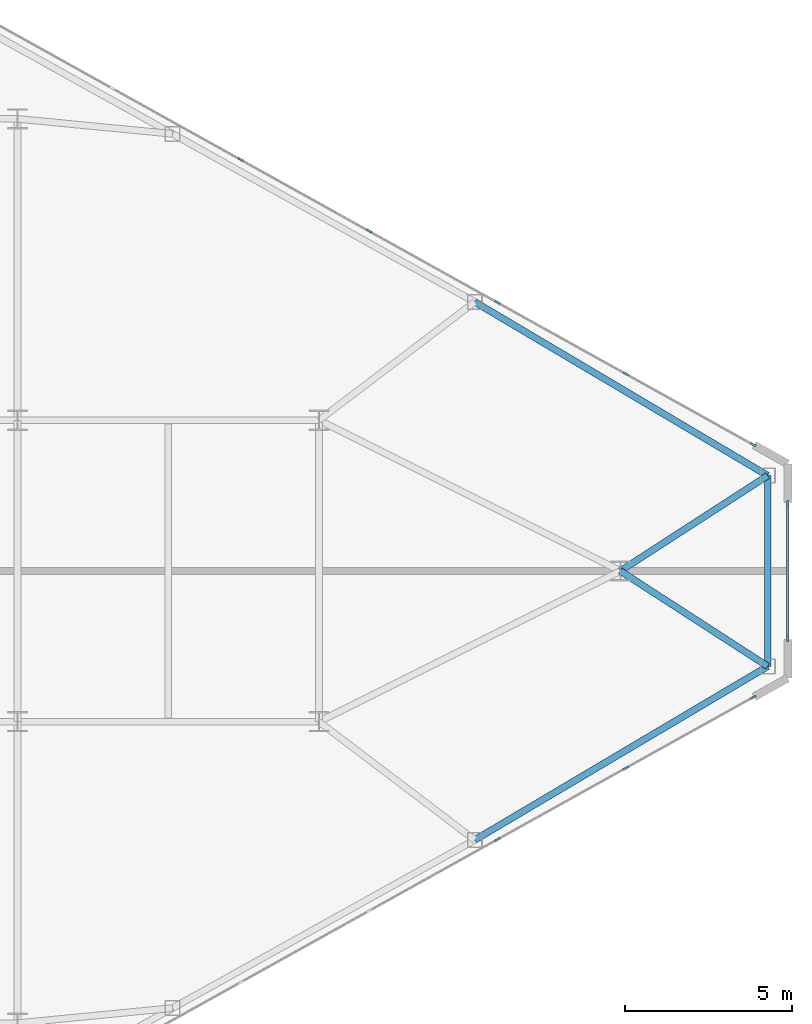
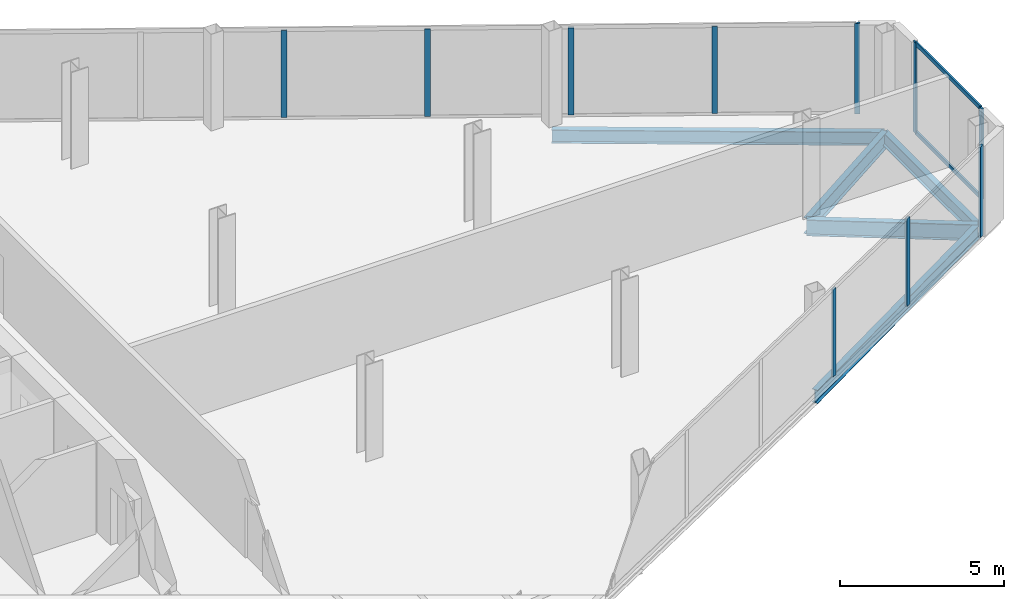
# One storey, part 17 of 26: 12 members, 5 beams, 3 elements without a shape of their own.
"""IFC4 building model written with IfcOpenShell, lengths in metres."""

from ifc_helpers import new_model, si_unit, direction, frame, origin, origin_2d, place, context, subcontext, project, spatial, rectangle, i_section, extrude, source, transform, mapped, material, layer, layer_set, material_profile, profile_set, type_object, type_shapes, element, aggregate, save


model = new_model("IFC4")

# Units and contexts
model_context = context("Model", 3, precision=1e-05, world=origin(), true_north=direction((0.0, 1.0)))
body_context = subcontext(model_context, "Body", "Model", "MODEL_VIEW")
ifc_project = project(units=[si_unit("LENGTHUNIT", "METRE"), si_unit("AREAUNIT", "SQUARE_METRE"), si_unit("VOLUMEUNIT", "CUBIC_METRE"), si_unit("PLANEANGLEUNIT", "RADIAN"), si_unit("MASSUNIT", "GRAM", prefix="KILO")], contexts=[model_context])

# Site, building, storey
site_placement = place(None, origin())
site = spatial("IfcSite", under=ifc_project, at=site_placement, CompositionType="ELEMENT")
building_placement = place(site_placement, origin())
building = spatial("IfcBuilding", under=site, at=building_placement, Name="Seokmaru Belvedere", CompositionType="ELEMENT")
storey_placement = place(building_placement, frame((0.0, 0.0, 181.5)))
storey = spatial("IfcBuildingStorey", under=building, at=storey_placement, Name="L48", CompositionType="ELEMENT", Elevation=181.5)

# Beams
ifc_material_1 = material(Name="Steel SM355 (355 MPa)", Category="steel")
ifc_material_profile_1 = material_profile(ifc_material_1, i_section(OverallWidth=0.199951171875, OverallDepth=0.5, WebThickness=0.010009765625, FlangeThickness=0.01611328125, at=origin_2d()), Name="H-500x200x10x16")
ifc_profile_set_1 = profile_set([ifc_material_profile_1], Name="Steel SM355 (355 MPa)")
beam_type_1 = type_object("IfcBeamType", Name="Perimeter Spandrel Beam H-500", PredefinedType="SPANDREL", material=ifc_profile_set_1)
shared_shape_1 = source(origin(), body_context, "Body", "SweptSolid", [
    extrude(i_section(OverallWidth=0.199951171875, OverallDepth=0.5, WebThickness=0.010009765625, FlangeThickness=0.01611328125, at=origin_2d()), origin(), (0.0, 0.0, 1.0), 10.16650390625),
])
for number, where, z_axis, x_axis, name in (
    (1, (59.154541015625, -8.031494140625, -0.469970703125), (0.860209996506, 0.509939959124, 0.0), (-0.509939959124, 0.860209996506, 0.0), "L48 E Faceted Flank Spandrel S-4"),
    (2, (59.154541015625, 8.031494140625, -0.469970703125), (0.860209996506, -0.509939959124, 0.0), (0.509939959124, 0.860209996506, 0.0), "L48 E Faceted Flank Spandrel N-4"),
):
    element("IfcBeam", number, at=place(storey_placement, frame(where, z_axis=z_axis, x_axis=x_axis)), inside=storey, type_object=beam_type_1, Name=name, PredefinedType="SPANDREL", context=body_context, shape_type="MappedRepresentation", body=[
        mapped(shared_shape_1, transform((0.0, 0.0, 0.0), scale=1.0)),
    ])
shared_shape_2 = source(origin(), body_context, "Body", "SweptSolid", [
    extrude(i_section(OverallWidth=0.199951171875, OverallDepth=0.5, WebThickness=0.010009765625, FlangeThickness=0.01611328125, at=origin_2d()), origin(), (0.0, 0.0, 1.0), 5.6943359375),
])
type_shapes(beam_type_1, [shared_shape_1, shared_shape_2])
beam_placement = place(storey_placement, frame((67.89990234375, -2.84716796875, -0.469970703125), z_axis=(0.0, 1.0, 0.0), x_axis=(-1.0, 0.0, 0.0)))
element("IfcBeam", 3, at=beam_placement, inside=storey, type_object=beam_type_1, Name="L48 E Faceted Apex Spandrel", PredefinedType="SPANDREL", context=body_context, shape_type="MappedRepresentation", body=[
    mapped(shared_shape_2, transform((0.0, 0.0, 0.0), scale=1.0)),
])
ifc_material_profile_2 = material_profile(ifc_material_1, i_section(OverallWidth=0.199951171875, OverallDepth=0.60009765625, WebThickness=0.010986328125, FlangeThickness=0.01708984375, at=origin_2d()), Name="H-600x200x11x17")
ifc_profile_set_2 = profile_set([ifc_material_profile_2], Name="Steel SM355 (355 MPa)")
beam_type_2 = type_object("IfcBeamType", Name="Primary Floor Girder H-600", PredefinedType="BEAM", material=ifc_profile_set_2)
shared_shape_3 = source(origin(), body_context, "Body", "SweptSolid", [
    extrude(i_section(OverallWidth=0.199951171875, OverallDepth=0.60009765625, WebThickness=0.010986328125, FlangeThickness=0.01708984375, at=origin_2d()), origin(), (0.0, 0.0, 1.0), 5.24072265625),
])
type_shapes(beam_type_2, [shared_shape_3])
for number, where, z_axis, x_axis, name in (
    (4, (67.89990234375, -2.84716796875, -0.52001953125), (-0.839555158729, 0.543274456836, 0.0), (-0.543274456836, -0.839555158729, 0.0), "L48 E Apex Radial Floor Girder 1"),
    (5, (67.89990234375, 2.84716796875, -0.52001953125), (-0.839555158729, -0.543274456836, 0.0), (0.543274456836, -0.839555158729, 0.0), "L48 E Apex Radial Floor Girder 2"),
):
    element("IfcBeam", number, at=place(storey_placement, frame(where, z_axis=z_axis, x_axis=x_axis)), inside=storey, type_object=beam_type_2, Name=name, PredefinedType="BEAM", context=body_context, shape_type="MappedRepresentation", body=[
        mapped(shared_shape_3, transform((0.0, 0.0, 0.0), scale=1.0)),
    ])

# Curtain wall, members
ifc_material_2 = material(Name="Bronze Triple Insulating Glass", Category="glass")
ifc_layer = layer(ifc_material_2, 0.179931640625)
ifc_layer_set = layer_set([ifc_layer], Name="Bronze Triple Insulating Glass")
curtain_wall_type = type_object("IfcCurtainWallType", Name="High-Rise Wind-Corner Curtain Wall System CW-5", PredefinedType="NOTDEFINED", material=ifc_layer_set)
curtain_wall_1_placement = place(storey_placement, origin())
curtain_wall_1 = element("IfcCurtainWall", 6, at=curtain_wall_1_placement, inside=storey, type_object=curtain_wall_type, Name="L48 Curtain Wall EF2", PredefinedType="NOTDEFINED")
ifc_material_3 = material(Name="Anodised Bronze Aluminium", Category="aluminium")
ifc_material_profile_3 = material_profile(ifc_material_3, rectangle(XDim=0.06494140625, YDim=0.14990234375, at=origin_2d()), Name="CW-T-65x150")
ifc_profile_set_3 = profile_set([ifc_material_profile_3], Name="Anodised Bronze Aluminium")
member_type_1 = type_object("IfcMemberType", Name="Bronze Unitised Transom 65x150", PredefinedType="USERDEFINED", material=ifc_profile_set_3)
shared_shape_4 = source(origin(), body_context, "Body", "SweptSolid", [
    extrude(rectangle(XDim=0.06494140625, YDim=0.14990234375, at=origin_2d()), origin(), (0.0, 0.0, 1.0), 3.97021484375),
])
type_shapes(member_type_1, [shared_shape_4])
member_1_placement = place(storey_placement, frame((68.5, -1.985107421875, 0.032470703125), z_axis=(0.0, 1.0, 0.0), x_axis=(-1.0, 0.0, 0.0)))
member_1 = element("IfcMember", 7, at=member_1_placement, type_object=member_type_1, Name="CW:L48:EF2 Continuous Transom 1", ObjectType="TRANSOM", PredefinedType="USERDEFINED", context=body_context, shape_type="MappedRepresentation", body=[
    mapped(shared_shape_4, transform((0.0, 0.0, 0.0), scale=1.0)),
])
member_2_placement = place(storey_placement, frame((68.5, -1.985107421875, 3.347412109375), z_axis=(0.0, 1.0, 0.0), x_axis=(-1.0, 0.0, 0.0)))
member_2 = element("IfcMember", 8, at=member_2_placement, type_object=member_type_1, Name="CW:L48:EF2 Continuous Transom 2", ObjectType="TRANSOM", PredefinedType="USERDEFINED", context=body_context, shape_type="MappedRepresentation", body=[
    mapped(shared_shape_4, transform((0.0, 0.0, 0.0), scale=1.0)),
])

# Curtain wall, member
curtain_wall_2_placement = place(storey_placement, origin())
curtain_wall_2 = element("IfcCurtainWall", 9, at=curtain_wall_2_placement, inside=storey, type_object=curtain_wall_type, Name="L48 Curtain Wall EF1", PredefinedType="NOTDEFINED")
ifc_material_profile_4 = material_profile(ifc_material_3, rectangle(XDim=0.06494140625, YDim=0.179931640625, at=origin_2d()), Name="CW-M-65x180")
ifc_profile_set_4 = profile_set([ifc_material_profile_4], Name="Anodised Bronze Aluminium")
member_type_2 = type_object("IfcMemberType", Name="Bronze Unitised Mullion 65x180", PredefinedType="MULLION", material=ifc_profile_set_4)
shared_shape_5 = source(origin(), body_context, "Body", "SweptSolid", [
    extrude(rectangle(XDim=0.06494140625, YDim=0.179931640625, at=origin_2d()), origin(), (0.0, 0.0, 1.0), 3.3798828125),
])
member_3_placement = place(storey_placement, frame((67.466552734375, -3.77490234375, 0.0), z_axis=(0.0, 0.0, 1.0), x_axis=(-0.486047125147, 0.873932601598, 0.0)))
member_3 = element("IfcMember", 10, at=member_3_placement, type_object=member_type_2, Name="CW:L48:EF1 Mullion 10", PredefinedType="MULLION", context=body_context, shape_type="MappedRepresentation", body=[
    mapped(shared_shape_5, transform((0.0, 0.0, 0.0), scale=1.0)),
])

# Member
member_4_placement = place(storey_placement, frame((68.5, -2.017578125, 0.0), z_axis=(0.0, 0.0, 1.0), x_axis=(-1.0, 0.0, 0.0)))
member_4 = element("IfcMember", 11, at=member_4_placement, type_object=member_type_2, Name="CW:L48:EF2 Mullion 1", PredefinedType="MULLION", context=body_context, shape_type="MappedRepresentation", body=[
    mapped(shared_shape_5, transform((0.0, 0.0, 0.0), scale=1.0)),
])

member_5_placement = place(storey_placement, frame((68.5, 2.017578125, 0.0), z_axis=(0.0, 0.0, 1.0), x_axis=(-1.0, 0.0, 0.0)))
member_5 = element("IfcMember", 12, at=member_5_placement, type_object=member_type_2, Name="CW:L48:EF2 Mullion 2", PredefinedType="MULLION", context=body_context, shape_type="MappedRepresentation", body=[
    mapped(shared_shape_5, transform((0.0, 0.0, 0.0), scale=1.0)),
])

aggregate(curtain_wall_1, [member_4, member_5, member_1, member_2])

# Curtain wall, member
curtain_wall_3_placement = place(storey_placement, origin())
curtain_wall_3 = element("IfcCurtainWall", 13, at=curtain_wall_3_placement, inside=storey, type_object=curtain_wall_type, Name="L48 Curtain Wall EF3", PredefinedType="NOTDEFINED")
member_6_placement = place(storey_placement, frame((67.466552734375, 3.77490234375, 0.0), z_axis=(0.0, 0.0, 1.0), x_axis=(-0.486047125147, -0.873932601598, 0.0)))
member_6 = element("IfcMember", 14, at=member_6_placement, type_object=member_type_2, Name="CW:L48:EF3 Mullion 1", PredefinedType="MULLION", context=body_context, shape_type="MappedRepresentation", body=[
    mapped(shared_shape_5, transform((0.0, 0.0, 0.0), scale=1.0)),
])

# Member
shared_shape_6 = source(origin(), body_context, "Body", "SweptSolid", [
    extrude(rectangle(XDim=0.06494140625, YDim=0.179931640625, at=origin_2d()), origin(), (0.0, 0.0, 1.0), 3.25),
])
type_shapes(member_type_2, [shared_shape_5, shared_shape_6])
member_7_placement = place(storey_placement, frame((59.83056640625, -8.021728515625, 0.06494140625), z_axis=(0.0, 0.0, 1.0), x_axis=(-0.486047125147, 0.873932601598, 0.0)))
member_7 = element("IfcMember", 15, at=member_7_placement, type_object=member_type_2, Name="CW:L48:EF1 Mullion 8", PredefinedType="MULLION", context=body_context, shape_type="MappedRepresentation", body=[
    mapped(shared_shape_6, transform((0.0, 0.0, 0.0), scale=1.0)),
])

member_8_placement = place(storey_placement, frame((63.662841796875, -5.890380859375, 0.06494140625), z_axis=(0.0, 0.0, 1.0), x_axis=(-0.486047125147, 0.873932601598, 0.0)))
member_8 = element("IfcMember", 16, at=member_8_placement, type_object=member_type_2, Name="CW:L48:EF1 Mullion 9", PredefinedType="MULLION", context=body_context, shape_type="MappedRepresentation", body=[
    mapped(shared_shape_6, transform((0.0, 0.0, 0.0), scale=1.0)),
])

aggregate(curtain_wall_2, [member_7, member_8, member_3])

member_9_placement = place(storey_placement, frame((63.662841796875, 5.890380859375, 0.06494140625), z_axis=(0.0, 0.0, 1.0), x_axis=(-0.486047125147, -0.873932601598, 0.0)))
member_9 = element("IfcMember", 17, at=member_9_placement, type_object=member_type_2, Name="CW:L48:EF3 Mullion 2", PredefinedType="MULLION", context=body_context, shape_type="MappedRepresentation", body=[
    mapped(shared_shape_6, transform((0.0, 0.0, 0.0), scale=1.0)),
])

member_10_placement = place(storey_placement, frame((59.83056640625, 8.021728515625, 0.06494140625), z_axis=(0.0, 0.0, 1.0), x_axis=(-0.486047125147, -0.873932601598, 0.0)))
member_10 = element("IfcMember", 18, at=member_10_placement, type_object=member_type_2, Name="CW:L48:EF3 Mullion 3", PredefinedType="MULLION", context=body_context, shape_type="MappedRepresentation", body=[
    mapped(shared_shape_6, transform((0.0, 0.0, 0.0), scale=1.0)),
])

member_11_placement = place(storey_placement, frame((55.998291015625, 10.153076171875, 0.06494140625), z_axis=(0.0, 0.0, 1.0), x_axis=(-0.486047125147, -0.873932601598, 0.0)))
member_11 = element("IfcMember", 19, at=member_11_placement, type_object=member_type_2, Name="CW:L48:EF3 Mullion 4", PredefinedType="MULLION", context=body_context, shape_type="MappedRepresentation", body=[
    mapped(shared_shape_6, transform((0.0, 0.0, 0.0), scale=1.0)),
])

member_12_placement = place(storey_placement, frame((52.166015625, 12.2841796875, 0.06494140625), z_axis=(0.0, 0.0, 1.0), x_axis=(-0.486047125147, -0.873932601598, 0.0)))
member_12 = element("IfcMember", 20, at=member_12_placement, type_object=member_type_2, Name="CW:L48:EF3 Mullion 5", PredefinedType="MULLION", context=body_context, shape_type="MappedRepresentation", body=[
    mapped(shared_shape_6, transform((0.0, 0.0, 0.0), scale=1.0)),
])

aggregate(curtain_wall_3, [member_6, member_9, member_10, member_11, member_12])

save(model, "model.ifc")
